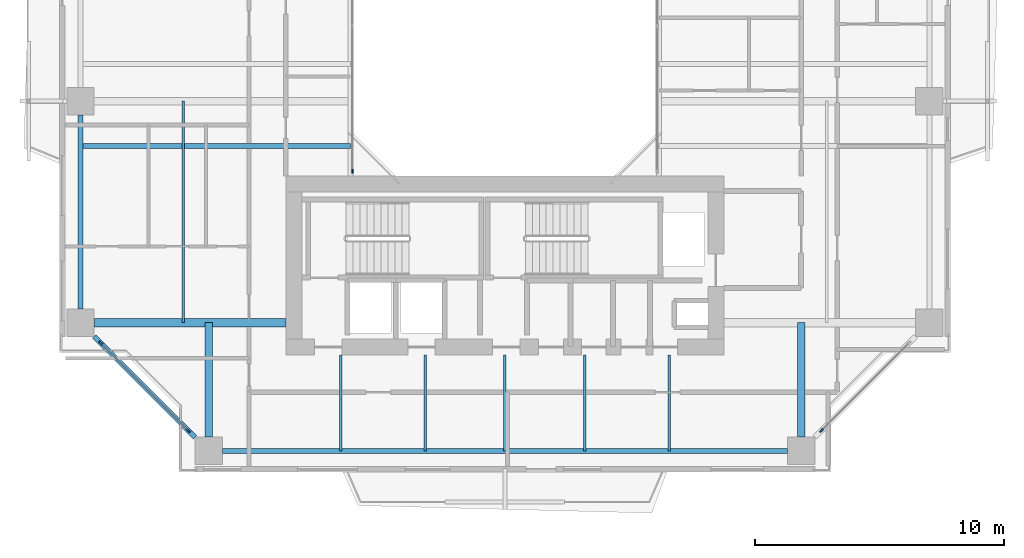
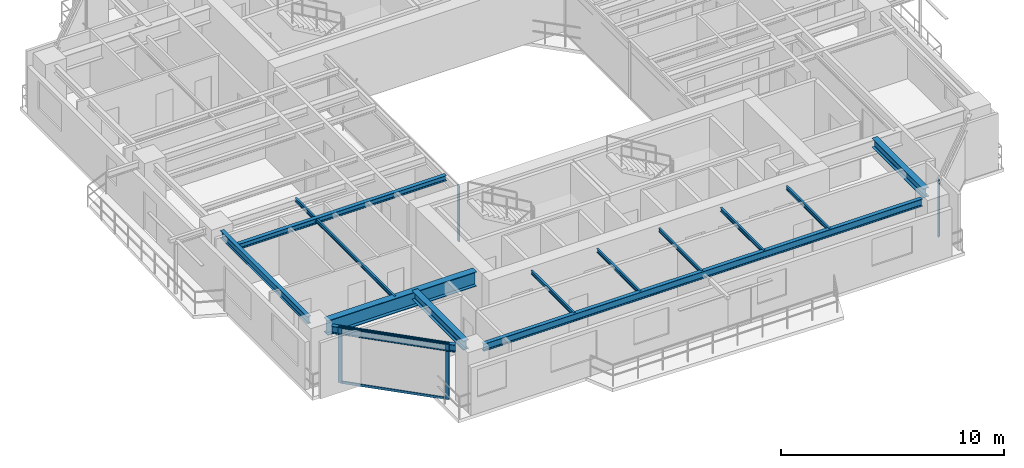
# One storey, part 2 of 17: 13 beams, 6 members, 3 elements without a shape of their own.
"""IFC4 building model written with IfcOpenShell, lengths in metres."""

import ifcopenshell
import ifcopenshell.guid

model = None  # the IFC model being written
_history = None  # IfcOwnerHistory: only IFC2X3 demands one
_inside = {}  # id of a spatial element -> (the spatial element, [elements in it])
_under = {}  # id of a project, library or spatial element -> (it, [spatial elements below it])
_declared = {}  # id of a project -> (the project, [libraries it declares])
_typed = {}  # id of a type object -> (the type object, [elements of that type])
_made_of = {}  # id of a material, layer set ... -> (it, [elements and type objects made of it])


def new_model(schema):
    """Start an empty IFC model of exactly this schema.

    Asked for "IFC4X3", IfcOpenShell would pick the latest addendum, in which some entities
    have other attributes; the version numbers below select the first issue.
    IFC2X3 requires an IfcOwnerHistory on every rooted entity: one is made here for all.
    """
    global model, _history
    if schema == "IFC4X3":
        model = ifcopenshell.file(schema_version=(4, 3, 0, 0))
    else:
        model = ifcopenshell.file(schema=schema)
    _inside.clear()
    _under.clear()
    _declared.clear()
    _typed.clear()
    _made_of.clear()
    _history = None
    if model.schema == "IFC2X3":
        org = make("IfcOrganization", Name="unknown")
        user = make(
            "IfcPersonAndOrganization",
            ThePerson=make("IfcPerson", FamilyName="unknown"),
            TheOrganization=org,
        )
        app = make(
            "IfcApplication",
            ApplicationDeveloper=org,
            Version="unknown",
            ApplicationFullName="unknown",
            ApplicationIdentifier="unknown",
        )
        _history = make(
            "IfcOwnerHistory",
            OwningUser=user,
            OwningApplication=app,
            ChangeAction="ADDED",
            CreationDate=0,
        )
    return model


def make(cls, **values):
    """One entity of the class cls with the attributes given. An attribute that is None is left unset."""
    return model.create_entity(
        cls, **{name: value for name, value in values.items() if value is not None}
    )


def rooted(cls, **values):
    """An entity with a GlobalId (a new one), such as an element, a storey or a relation."""
    return make(cls, GlobalId=ifcopenshell.guid.new(), OwnerHistory=_history, **values)


def si_unit(unit_type, name, prefix=None):
    """IfcSIUnit, for example si_unit("LENGTHUNIT", "METRE", prefix="MILLI")."""
    return make("IfcSIUnit", UnitType=unit_type, Prefix=prefix, Name=name)


def assignment(units):
    """IfcUnitAssignment: the units of a project."""
    return None if units is None else make("IfcUnitAssignment", Units=units)


def point(xyz):
    """IfcCartesianPoint."""
    return None if xyz is None else make("IfcCartesianPoint", Coordinates=xyz)


def direction(xyz):
    """IfcDirection."""
    return None if xyz is None else make("IfcDirection", DirectionRatios=xyz)


def frame(location, z_axis=None, x_axis=None):
    """IfcAxis2Placement3D, a coordinate frame: its origin and axes. An axis left out is left unset."""
    return make(
        "IfcAxis2Placement3D",
        Location=point(location),
        Axis=direction(z_axis),
        RefDirection=direction(x_axis),
    )


def frame_2d(location, x_axis=None):
    """IfcAxis2Placement2D, a coordinate frame in the plane: its origin and x axis."""
    return make(
        "IfcAxis2Placement2D", Location=point(location), RefDirection=direction(x_axis)
    )


def origin():
    """The frame at (0, 0, 0) with its axes left unset."""
    return frame((0.0, 0.0, 0.0))


def origin_2d():
    """The frame at (0, 0) in the plane with its x axis left unset."""
    return frame_2d((0.0, 0.0))


def place(relative_to, where):
    """IfcLocalPlacement: puts the frame where relative to a parent placement (None: the world)."""
    return make(
        "IfcLocalPlacement", PlacementRelTo=relative_to, RelativePlacement=where
    )


def context(
    kind, dimensions, precision=None, world=None, true_north=None, identifier=None
):
    """IfcGeometricRepresentationContext, for example the 3D "Model" context."""
    return make(
        "IfcGeometricRepresentationContext",
        ContextIdentifier=identifier,
        ContextType=kind,
        CoordinateSpaceDimension=dimensions,
        Precision=precision,
        WorldCoordinateSystem=world,
        TrueNorth=true_north,
    )


def subcontext(parent, identifier, kind, view, scale=None):
    """IfcGeometricRepresentationSubContext, for example "Body" below "Model"."""
    return make(
        "IfcGeometricRepresentationSubContext",
        ContextIdentifier=identifier,
        ContextType=kind,
        ParentContext=parent,
        TargetScale=scale,
        TargetView=view,
    )


def project(units=None, contexts=None):
    """IfcProject with its units and contexts."""
    return rooted(
        "IfcProject",
        Name="project",
        RepresentationContexts=contexts,
        UnitsInContext=assignment(units),
    )


def spatial(cls, under=None, at=None, **own):
    """A site, building, storey or space (cls), placed at a placement, below another one or the project."""
    s = rooted(cls, ObjectPlacement=at, **own)
    if under is not None:
        _under.setdefault(under.id(), (under, []))[1].append(s)
    return s


def profile(cls, at=None, kind="AREA", **sizes):
    """A parametric profile (cls). Its sizes go by their IFC names, for example OverallWidth=200.0."""
    return make(cls, ProfileType=kind, Position=at, **sizes)


def rectangle(**sizes):
    """IfcRectangleProfileDef."""
    return profile("IfcRectangleProfileDef", **sizes)


def i_section(**sizes):
    """IfcIShapeProfileDef."""
    return profile("IfcIShapeProfileDef", **sizes)


def extrude(swept, where, along, depth):
    """IfcExtrudedAreaSolid: the profile swept, set in the frame where, extruded along a direction by depth."""
    return make(
        "IfcExtrudedAreaSolid",
        SweptArea=swept,
        Position=where,
        ExtrudedDirection=direction(along),
        Depth=depth,
    )


def shape(context_of_items, identifier, shape_type, items):
    """IfcShapeRepresentation: the items that make up one representation, for example the "Body"."""
    return make(
        "IfcShapeRepresentation",
        ContextOfItems=context_of_items,
        RepresentationIdentifier=identifier,
        RepresentationType=shape_type,
        Items=items,
    )


def source(mapping_origin, context_of_items, identifier, shape_type, items):
    """IfcRepresentationMap: a shape defined once, which mapped items show again and again."""
    return make(
        "IfcRepresentationMap",
        MappingOrigin=mapping_origin,
        MappedRepresentation=shape(context_of_items, identifier, shape_type, items),
    )


def transform(
    local_origin,
    x_axis=None,
    y_axis=None,
    z_axis=None,
    scale=None,
    scale2=None,
    scale3=None,
    uniform=True,
):
    """IfcCartesianTransformationOperator3D, or its non-uniform kind. x_axis, y_axis, z_axis: its Axis1, 2, 3."""
    if uniform:
        return make(
            "IfcCartesianTransformationOperator3D",
            Axis1=direction(x_axis),
            Axis2=direction(y_axis),
            LocalOrigin=point(local_origin),
            Scale=scale,
            Axis3=direction(z_axis),
        )
    return make(
        "IfcCartesianTransformationOperator3DnonUniform",
        Axis1=direction(x_axis),
        Axis2=direction(y_axis),
        LocalOrigin=point(local_origin),
        Scale=scale,
        Axis3=direction(z_axis),
        Scale2=scale2,
        Scale3=scale3,
    )


def mapped(mapping_source, mapping_target):
    """IfcMappedItem: shows the shape of a source again, moved by a transform."""
    return make(
        "IfcMappedItem", MappingSource=mapping_source, MappingTarget=mapping_target
    )


def material(Name=None, Category=None):
    """IfcMaterial."""
    return make("IfcMaterial", Name=Name, Category=Category)


def layer(
    of_material, thickness, ventilated=None, Name=None, Category=None, Priority=None
):
    """IfcMaterialLayer: one layer of a wall or slab, of a material (None: an air gap)."""
    return make(
        "IfcMaterialLayer",
        Material=of_material,
        LayerThickness=thickness,
        IsVentilated=ventilated,
        Name=Name,
        Category=Category,
        Priority=Priority,
    )


def layer_set(layers, Name=None):
    """IfcMaterialLayerSet."""
    return make("IfcMaterialLayerSet", MaterialLayers=layers, LayerSetName=Name)


def material_profile(
    of_material, cross_section, Name=None, Category=None, Priority=None
):
    """IfcMaterialProfile: a cross section and its material."""
    return make(
        "IfcMaterialProfile",
        Name=Name,
        Material=of_material,
        Profile=cross_section,
        Priority=Priority,
        Category=Category,
    )


def profile_set(profiles, Name=None, composite=None):
    """IfcMaterialProfileSet."""
    return make(
        "IfcMaterialProfileSet",
        Name=Name,
        MaterialProfiles=profiles,
        CompositeProfile=composite,
    )


def made_of(thing, what):
    """Note that an element or type object is made of a material, layer set ...; save() writes the relation."""
    if what is not None:
        _made_of.setdefault(what.id(), (what, []))[1].append(thing)
    return thing


def type_object(cls, material=None, **own):
    """A type object (cls), such as IfcWallType, which elements share."""
    return made_of(rooted(cls, **own), material)


def element(
    cls,
    number,
    at=None,
    inside=None,
    cuts=None,
    type_object=None,
    material=None,
    context=None,
    identifier="Body",
    shape_type=None,
    held_by="IfcProductDefinitionShape",
    body=None,
    shapes=None,
    **own,
):
    """One element of the class cls, such as IfcWall. Its Tag is "e" and its number.

    at: its placement. inside: the storey or other place that contains it. cuts: it is an
    opening in that element (IfcRelVoidsElement). A single representation is given by context,
    identifier, shape_type and body (its items); several are given by shapes. held_by: the class
    of the entity that holds the representations. save() writes the other relations.
    """
    e = rooted(cls, Tag="e%d" % number, ObjectPlacement=at, **own)
    if body is not None:
        shapes = [shape(context, identifier, shape_type, body)]
    if shapes is not None:
        e.Representation = make(held_by, Representations=shapes)
    if inside is not None:
        _inside.setdefault(inside.id(), (inside, []))[1].append(e)
    if cuts is not None:
        rooted(
            "IfcRelVoidsElement", RelatingBuildingElement=cuts, RelatedOpeningElement=e
        )
    if type_object is not None:
        _typed.setdefault(type_object.id(), (type_object, []))[1].append(e)
    return made_of(e, material)


def aggregate(whole, parts):
    """IfcRelAggregates: a whole, such as a stair, and the parts it consists of."""
    return rooted("IfcRelAggregates", RelatingObject=whole, RelatedObjects=parts)


def save(model, path):
    """Write the relations noted so far, then the file.

    IfcRelAggregates (storeys below a building ...), IfcRelContainedInSpatialStructure (elements
    in a storey), IfcRelDefinesByType, IfcRelAssociatesMaterial and IfcRelDeclares: one each for
    every whole, place, type object, material and project.
    """
    for whole, parts in _under.values():
        aggregate(whole, parts)
    for where, things in _inside.values():
        rooted(
            "IfcRelContainedInSpatialStructure",
            RelatedElements=things,
            RelatingStructure=where,
        )
    for kind, things in _typed.values():
        rooted("IfcRelDefinesByType", RelatedObjects=things, RelatingType=kind)
    for what, things in _made_of.values():
        rooted("IfcRelAssociatesMaterial", RelatedObjects=things, RelatingMaterial=what)
    for by, libraries in _declared.values():
        rooted("IfcRelDeclares", RelatingContext=by, RelatedDefinitions=libraries)
    model.write(path)


model = new_model("IFC4")

# Units and contexts
model_context = context("Model", 3, precision=1e-05, world=origin(), true_north=direction((0.0, 1.0)))
body_context = subcontext(model_context, "Body", "Model", "MODEL_VIEW")
ifc_project = project(units=[si_unit("LENGTHUNIT", "METRE"), si_unit("AREAUNIT", "SQUARE_METRE"), si_unit("VOLUMEUNIT", "CUBIC_METRE"), si_unit("PLANEANGLEUNIT", "RADIAN"), si_unit("MASSUNIT", "GRAM", prefix="KILO"), si_unit("THERMODYNAMICTEMPERATUREUNIT", "KELVIN"), si_unit("POWERUNIT", "WATT")], contexts=[model_context])

# Site, building, storey
site_placement = place(None, origin())
site = spatial("IfcSite", under=ifc_project, at=site_placement, CompositionType="ELEMENT")
building_placement = place(site_placement, origin())
building = spatial("IfcBuilding", under=site, at=building_placement, Name="Qiaomeng Ring Towers", CompositionType="ELEMENT")
storey_placement = place(building_placement, frame((0.0, 0.0, 123.0)))
storey = spatial("IfcBuildingStorey", under=building, at=storey_placement, Name="L35", CompositionType="ELEMENT", Elevation=123.0)

# Beams
ifc_material_1 = material(Name="Steel Q355B", Category="steel")
ifc_material_profile_1 = material_profile(ifc_material_1, i_section(OverallWidth=0.199951171875, OverallDepth=0.39990234375, WebThickness=0.008056640625, FlangeThickness=0.012939453125, FilletRadius=0.01611328125, at=origin_2d()), Name="HN 400x200x8x13")
ifc_profile_set_1 = profile_set([ifc_material_profile_1], Name="Steel Q355B")
beam_type_1 = type_object("IfcBeamType", Name="STR-BM-HN400", PredefinedType="SPANDREL", material=ifc_profile_set_1)
shared_shape_1 = source(origin(), body_context, "Body", "SweptSolid", [
    extrude(i_section(OverallWidth=0.199951171875, OverallDepth=0.39990234375, WebThickness=0.008056640625, FlangeThickness=0.012939453125, FilletRadius=0.01611328125, at=origin_2d()), origin(), (0.0, 0.0, 1.0), 22.7021484375),
])
beam_1_placement = place(storey_placement, frame((7.64892578125, 5.949951171875, 2.8701171875), z_axis=(1.0, 0.0, 0.0), x_axis=(0.0, 1.0, 0.0)))
element("IfcBeam", 1, at=beam_1_placement, inside=storey, type_object=beam_type_1, Name="L35 beam STR-SP-L35-T1-S1-S2", PredefinedType="SPANDREL", context=body_context, shape_type="MappedRepresentation", body=[
    mapped(shared_shape_1, transform((0.0, 0.0, 0.0), x_axis=(1.0, 0.0, 0.0), y_axis=(0.0, 1.0, 0.0), z_axis=(0.0, 0.0, 1.0), scale=1.0)),
])
shared_shape_2 = source(origin(), body_context, "Body", "SweptSolid", [
    extrude(i_section(OverallWidth=0.199951171875, OverallDepth=0.39990234375, WebThickness=0.008056640625, FlangeThickness=0.012939453125, FilletRadius=0.01611328125, at=origin_2d()), origin(), (0.0, 0.0, 1.0), 5.729736328125),
])
beam_2_placement = place(storey_placement, frame((2.499267578125, 10.55078125, 2.8701171875), z_axis=(0.707106781187, -0.707106781187, 0.0), x_axis=(0.707106781187, 0.707106781187, 0.0)))
element("IfcBeam", 2, at=beam_2_placement, inside=storey, type_object=beam_type_1, Name="L35 beam STR-SP-L35-T1-W1-S1", PredefinedType="SPANDREL", context=body_context, shape_type="MappedRepresentation", body=[
    mapped(shared_shape_2, transform((0.0, 0.0, 0.0), x_axis=(1.0, 0.0, 0.0), y_axis=(0.0, 1.0, 0.0), z_axis=(0.0, 0.0, 1.0), scale=1.0)),
])
shared_shape_3 = source(origin(), body_context, "Body", "SweptSolid", [
    extrude(i_section(OverallWidth=0.199951171875, OverallDepth=0.39990234375, WebThickness=0.008056640625, FlangeThickness=0.012939453125, FilletRadius=0.01611328125, at=origin_2d()), origin(), (0.0, 0.0, 1.0), 7.802001953125),
])
beam_3_placement = place(storey_placement, frame((1.949951171875, 19.450927734375, 2.8701171875), z_axis=(0.0, -1.0, 0.0), x_axis=(1.0, 0.0, 0.0)))
element("IfcBeam", 3, at=beam_3_placement, inside=storey, type_object=beam_type_1, Name="L35 beam STR-SP-L35-T1-W2-W1", PredefinedType="SPANDREL", context=body_context, shape_type="MappedRepresentation", body=[
    mapped(shared_shape_3, transform((0.0, 0.0, 0.0), x_axis=(1.0, 0.0, 0.0), y_axis=(0.0, 1.0, 0.0), z_axis=(0.0, 0.0, 1.0), scale=1.0)),
])
ifc_material_2 = material(Name="Steel Q390GJC", Category="steel")
ifc_material_profile_2 = material_profile(ifc_material_2, i_section(OverallWidth=0.35009765625, OverallDepth=0.800048828125, WebThickness=0.01611328125, FlangeThickness=0.028076171875, at=origin_2d()), Name="WH 800x350x16x28")
ifc_profile_set_2 = profile_set([ifc_material_profile_2], Name="Steel Q390GJC")
beam_type_2 = type_object("IfcBeamType", Name="STR-BM-WH800", PredefinedType="BEAM", material=ifc_profile_set_2)
shared_shape_4 = source(origin(), body_context, "Body", "SweptSolid", [
    extrude(i_section(OverallWidth=0.35009765625, OverallDepth=0.800048828125, WebThickness=0.01611328125, FlangeThickness=0.028076171875, at=origin_2d()), origin(), (0.0, 0.0, 1.0), 7.700927734375),
])
beam_4_placement = place(storey_placement, frame((2.4990234375, 11.10009765625, 2.669921875), z_axis=(1.0, 0.0, 0.0), x_axis=(0.0, 1.0, 0.0)))
element("IfcBeam", 4, at=beam_4_placement, inside=storey, type_object=beam_type_2, Name="L35 beam STR-BM-L35-T1-RAD-W1", PredefinedType="BEAM", context=body_context, shape_type="MappedRepresentation", body=[
    mapped(shared_shape_4, transform((0.0, 0.0, 0.0), x_axis=(1.0, 0.0, 0.0), y_axis=(0.0, 1.0, 0.0), z_axis=(0.0, 0.0, 1.0), scale=1.0)),
])
ifc_material_profile_3 = material_profile(ifc_material_1, i_section(OverallWidth=0.300048828125, OverallDepth=0.488037109375, WebThickness=0.010986328125, FlangeThickness=0.01806640625, FilletRadius=0.02587890625, at=origin_2d()), Name="HM 488x300x11x18")
ifc_profile_set_3 = profile_set([ifc_material_profile_3], Name="Steel Q355B")
beam_type_3 = type_object("IfcBeamType", Name="STR-BM-HM488", PredefinedType="BEAM", material=ifc_profile_set_3)
shared_shape_5 = source(origin(), body_context, "Body", "SweptSolid", [
    extrude(i_section(OverallWidth=0.300048828125, OverallDepth=0.488037109375, WebThickness=0.010986328125, FlangeThickness=0.01806640625, FilletRadius=0.02587890625, at=origin_2d()), origin(), (0.0, 0.0, 1.0), 4.60107421875),
])
for number, where, z_axis, x_axis, name in (
    (5, (7.10009765625, 6.4990234375, 2.825927734375), (0.0, 1.0, 0.0), (-1.0, 0.0, 0.0), "L35 beam STR-BM-L35-T1-RAD-S1"),
    (6, (30.89990234375, 6.4990234375, 2.825927734375), (0.0, 1.0, 0.0), (-1.0, 0.0, 0.0), "L35 beam STR-BM-L35-T1-RAD-S2"),
):
    element("IfcBeam", number, at=place(storey_placement, frame(where, z_axis=z_axis, x_axis=x_axis)), inside=storey, type_object=beam_type_3, Name=name, PredefinedType="BEAM", context=body_context, shape_type="MappedRepresentation", body=[
        mapped(shared_shape_5, transform((0.0, 0.0, 0.0), x_axis=(1.0, 0.0, 0.0), y_axis=(0.0, 1.0, 0.0), z_axis=(0.0, 0.0, 1.0), scale=1.0)),
    ])
ifc_material_profile_4 = material_profile(ifc_material_1, i_section(OverallWidth=0.10009765625, OverallDepth=0.199951171875, WebThickness=0.005615234375, FlangeThickness=0.008056640625, FilletRadius=0.010986328125, at=origin_2d()), Name="HN 200x100x5.5x8")
ifc_profile_set_4 = profile_set([ifc_material_profile_4], Name="Steel Q355B")
beam_type_4 = type_object("IfcBeamType", Name="STR-BM-HN200", PredefinedType="JOIST", material=ifc_profile_set_4)
shared_shape_6 = source(origin(), body_context, "Body", "SweptSolid", [
    extrude(i_section(OverallWidth=0.10009765625, OverallDepth=0.199951171875, WebThickness=0.005615234375, FlangeThickness=0.008056640625, FilletRadius=0.010986328125, at=origin_2d()), origin(), (0.0, 0.0, 1.0), 3.85009765625),
])
for number, where, z_axis, x_axis, name in (
    (7, (12.39990234375, 5.949951171875, 2.969970703125), (0.0, 1.0, 0.0), (-1.0, 0.0, 0.0), "L35 beam STR-JST-L35-T1S-1"),
    (8, (15.800048828125, 5.949951171875, 2.969970703125), (0.0, 1.0, 0.0), (-1.0, 0.0, 0.0), "L35 beam STR-JST-L35-T1S-2"),
    (9, (19.0, 5.949951171875, 2.969970703125), (0.0, 1.0, 0.0), (-1.0, 0.0, 0.0), "L35 beam STR-JST-L35-T1S-3"),
    (10, (22.199951171875, 5.949951171875, 2.969970703125), (0.0, 1.0, 0.0), (-1.0, 0.0, 0.0), "L35 beam STR-JST-L35-T1S-4"),
    (11, (25.60009765625, 5.949951171875, 2.969970703125), (0.0, 1.0, 0.0), (-1.0, 0.0, 0.0), "L35 beam STR-JST-L35-T1S-5"),
):
    element("IfcBeam", number, at=place(storey_placement, frame(where, z_axis=z_axis, x_axis=x_axis)), inside=storey, type_object=beam_type_4, Name=name, PredefinedType="JOIST", context=body_context, shape_type="MappedRepresentation", body=[
        mapped(shared_shape_6, transform((0.0, 0.0, 0.0), x_axis=(1.0, 0.0, 0.0), y_axis=(0.0, 1.0, 0.0), z_axis=(0.0, 0.0, 1.0), scale=1.0)),
    ])
ifc_material_profile_5 = material_profile(ifc_material_1, i_section(OverallWidth=0.199951171875, OverallDepth=0.2939453125, WebThickness=0.008056640625, FlangeThickness=0.011962890625, FilletRadius=0.01806640625, at=origin_2d()), Name="HM 294x200x8x12")
ifc_profile_set_5 = profile_set([ifc_material_profile_5], Name="Steel Q355B")
beam_type_5 = type_object("IfcBeamType", Name="STR-BM-HM294", PredefinedType="JOIST", material=ifc_profile_set_5)
shared_shape_7 = source(origin(), body_context, "Body", "SweptSolid", [
    extrude(i_section(OverallWidth=0.199951171875, OverallDepth=0.2939453125, WebThickness=0.008056640625, FlangeThickness=0.011962890625, FilletRadius=0.01806640625, at=origin_2d()), origin(), (0.0, 0.0, 1.0), 10.85009765625),
])
beam_5_placement = place(storey_placement, frame((1.949951171875, 18.199951171875, 2.923095703125), z_axis=(1.0, 0.0, 0.0), x_axis=(0.0, 1.0, 0.0)))
element("IfcBeam", 12, at=beam_5_placement, inside=storey, type_object=beam_type_5, Name="L35 beam STR-JST-L35-T1W-1", PredefinedType="JOIST", context=body_context, shape_type="MappedRepresentation", body=[
    mapped(shared_shape_7, transform((0.0, 0.0, 0.0), x_axis=(1.0, 0.0, 0.0), y_axis=(0.0, 1.0, 0.0), z_axis=(0.0, 0.0, 1.0), scale=1.0)),
])
shared_shape_8 = source(origin(), body_context, "Body", "SweptSolid", [
    extrude(i_section(OverallWidth=0.10009765625, OverallDepth=0.199951171875, WebThickness=0.005615234375, FlangeThickness=0.008056640625, FilletRadius=0.010986328125, at=origin_2d()), origin(), (0.0, 0.0, 1.0), 8.89990234375),
])
beam_6_placement = place(storey_placement, frame((6.074951171875, 11.10009765625, 2.969970703125), z_axis=(0.0, 1.0, 0.0), x_axis=(-1.0, 0.0, 0.0)))
element("IfcBeam", 13, at=beam_6_placement, inside=storey, type_object=beam_type_4, Name="L35 beam STR-JST-L35-T1C-WS", PredefinedType="JOIST", context=body_context, shape_type="MappedRepresentation", body=[
    mapped(shared_shape_8, transform((0.0, 0.0, 0.0), x_axis=(1.0, 0.0, 0.0), y_axis=(0.0, 1.0, 0.0), z_axis=(0.0, 0.0, 1.0), scale=1.0)),
])

# Curtain wall, member
ifc_material_3 = material(Name="Fluorocarbon dark-grey aluminium", Category="aluminium")
ifc_layer_1 = layer(ifc_material_3, 0.139892578125, Name="Fluorocarbon dark-grey aluminium")
ifc_layer_set_1 = layer_set([ifc_layer_1], Name="Fluorocarbon dark-grey aluminium")
curtain_wall_type_1 = type_object("IfcCurtainWallType", Name="ARC-CW-4", PredefinedType="NOTDEFINED", material=ifc_layer_set_1)
curtain_wall_1_placement = place(storey_placement, origin())
curtain_wall_1 = element("IfcCurtainWall", 14, at=curtain_wall_1_placement, inside=storey, type_object=curtain_wall_type_1, Name="L35 Curtain Wall CW4", PredefinedType="NOTDEFINED")
ifc_material_profile_6 = material_profile(ifc_material_3, rectangle(XDim=0.06494140625, YDim=0.159912109375, at=origin_2d()), Name="ALU MULL 65x160")
ifc_profile_set_6 = profile_set([ifc_material_profile_6], Name="Fluorocarbon dark-grey aluminium")
member_type_1 = type_object("IfcMemberType", Name="ARC-CWM-140", PredefinedType="MULLION", material=ifc_profile_set_6)
shared_shape_9 = source(origin(), body_context, "Body", "SweptSolid", [
    extrude(rectangle(XDim=0.06494140625, YDim=0.159912109375, at=origin_2d()), origin(), (0.0, 0.0, 1.0), 3.070068359375),
])
member_1_placement = place(storey_placement, frame((12.8798828125, 17.1826171875, 0.0), z_axis=(0.0, 0.0, 1.0), x_axis=(-1.0, 0.0, 0.0)))
member_1 = element("IfcMember", 15, at=member_1_placement, type_object=member_type_1, Name="CW4 mullion 1", PredefinedType="MULLION", context=body_context, shape_type="MappedRepresentation", body=[
    mapped(shared_shape_9, transform((0.0, 0.0, 0.0), x_axis=(1.0, 0.0, 0.0), y_axis=(0.0, 1.0, 0.0), z_axis=(0.0, 0.0, 1.0), scale=1.0)),
])
aggregate(curtain_wall_1, [member_1])

ifc_layer_2 = layer(ifc_material_3, 0.14990234375, Name="Fluorocarbon dark-grey aluminium")
ifc_layer_set_2 = layer_set([ifc_layer_2], Name="Fluorocarbon dark-grey aluminium")
curtain_wall_type_2 = type_object("IfcCurtainWallType", Name="ARC-CW-3", PredefinedType="NOTDEFINED", material=ifc_layer_set_2)
curtain_wall_2_placement = place(storey_placement, origin())
curtain_wall_2 = element("IfcCurtainWall", 16, at=curtain_wall_2_placement, inside=storey, type_object=curtain_wall_type_2, Name="L35 Curtain Wall CW3", PredefinedType="NOTDEFINED")
ifc_material_profile_7 = material_profile(ifc_material_3, rectangle(XDim=0.070068359375, YDim=0.179931640625, at=origin_2d()), Name="ALU MULL 70x180")
ifc_profile_set_7 = profile_set([ifc_material_profile_7], Name="Fluorocarbon dark-grey aluminium")
member_type_2 = type_object("IfcMemberType", Name="ARC-CWM-160", PredefinedType="MULLION", material=ifc_profile_set_7)
shared_shape_10 = source(origin(), body_context, "Body", "SweptSolid", [
    extrude(rectangle(XDim=0.070068359375, YDim=0.179931640625, at=origin_2d()), origin(), (0.0, 0.0, 1.0), 3.070068359375),
])
member_2_placement = place(storey_placement, frame((31.71484375, 6.7646484375, 0.0), z_axis=(0.0, 0.0, 1.0), x_axis=(-0.707106781187, 0.707106781187, 0.0)))
member_2 = element("IfcMember", 17, at=member_2_placement, type_object=member_type_2, Name="CW3 mullion 1", PredefinedType="MULLION", context=body_context, shape_type="MappedRepresentation", body=[
    mapped(shared_shape_10, transform((0.0, 0.0, 0.0), x_axis=(1.0, 0.0, 0.0), y_axis=(0.0, 1.0, 0.0), z_axis=(0.0, 0.0, 1.0), scale=1.0)),
])
aggregate(curtain_wall_2, [member_2])

# Curtain wall, members
curtain_wall_3_placement = place(storey_placement, origin())
curtain_wall_3 = element("IfcCurtainWall", 18, at=curtain_wall_3_placement, inside=storey, type_object=curtain_wall_type_2, Name="L35 Curtain Wall CW3", PredefinedType="NOTDEFINED")
member_3_placement = place(storey_placement, frame((2.7646484375, 10.28515625, 0.0), z_axis=(0.0, 0.0, 1.0), x_axis=(0.707106781187, 0.707106781187, 0.0)))
member_3 = element("IfcMember", 19, at=member_3_placement, type_object=member_type_2, Name="CW3 mullion 1", PredefinedType="MULLION", context=body_context, shape_type="MappedRepresentation", body=[
    mapped(shared_shape_10, transform((0.0, 0.0, 0.0), x_axis=(1.0, 0.0, 0.0), y_axis=(0.0, 1.0, 0.0), z_axis=(0.0, 0.0, 1.0), scale=1.0)),
])
member_4_placement = place(storey_placement, frame((6.28515625, 6.7646484375, 0.0), z_axis=(0.0, 0.0, 1.0), x_axis=(0.707106781187, 0.707106781187, 0.0)))
member_4 = element("IfcMember", 20, at=member_4_placement, type_object=member_type_2, Name="CW3 mullion 2", PredefinedType="MULLION", context=body_context, shape_type="MappedRepresentation", body=[
    mapped(shared_shape_10, transform((0.0, 0.0, 0.0), x_axis=(1.0, 0.0, 0.0), y_axis=(0.0, 1.0, 0.0), z_axis=(0.0, 0.0, 1.0), scale=1.0)),
])
ifc_material_profile_8 = material_profile(ifc_material_3, rectangle(XDim=0.06494140625, YDim=0.1298828125, at=origin_2d()), Name="ALU TRAN 65x130")
ifc_profile_set_8 = profile_set([ifc_material_profile_8], Name="Fluorocarbon dark-grey aluminium")
member_type_3 = type_object("IfcMemberType", Name="ARC-CWT-120", PredefinedType="USERDEFINED", material=ifc_profile_set_8)
shared_shape_11 = source(origin(), body_context, "Body", "SweptSolid", [
    extrude(rectangle(XDim=0.06494140625, YDim=0.1298828125, at=origin_2d()), origin(), (0.0, 0.0, 1.0), 4.90869140625),
])
member_5_placement = place(storey_placement, frame((2.78955078125, 10.260498046875, 0.032470703125), z_axis=(0.707106781187, -0.707106781187, 0.0), x_axis=(0.707106781187, 0.707106781187, 0.0)))
member_5 = element("IfcMember", 21, at=member_5_placement, type_object=member_type_3, Name="CW3 transom 1.1", ObjectType="TRANSOM", PredefinedType="USERDEFINED", context=body_context, shape_type="MappedRepresentation", body=[
    mapped(shared_shape_11, transform((0.0, 0.0, 0.0), x_axis=(1.0, 0.0, 0.0), y_axis=(0.0, 1.0, 0.0), z_axis=(0.0, 0.0, 1.0), scale=1.0)),
])
member_6_placement = place(storey_placement, frame((2.78955078125, 10.260498046875, 3.03759765625), z_axis=(0.707106781187, -0.707106781187, 0.0), x_axis=(0.707106781187, 0.707106781187, 0.0)))
member_6 = element("IfcMember", 22, at=member_6_placement, type_object=member_type_3, Name="CW3 transom 1.2", ObjectType="TRANSOM", PredefinedType="USERDEFINED", context=body_context, shape_type="MappedRepresentation", body=[
    mapped(shared_shape_11, transform((0.0, 0.0, 0.0), x_axis=(1.0, 0.0, 0.0), y_axis=(0.0, 1.0, 0.0), z_axis=(0.0, 0.0, 1.0), scale=1.0)),
])
aggregate(curtain_wall_3, [member_3, member_4, member_5, member_6])

save(model, "model.ifc")
